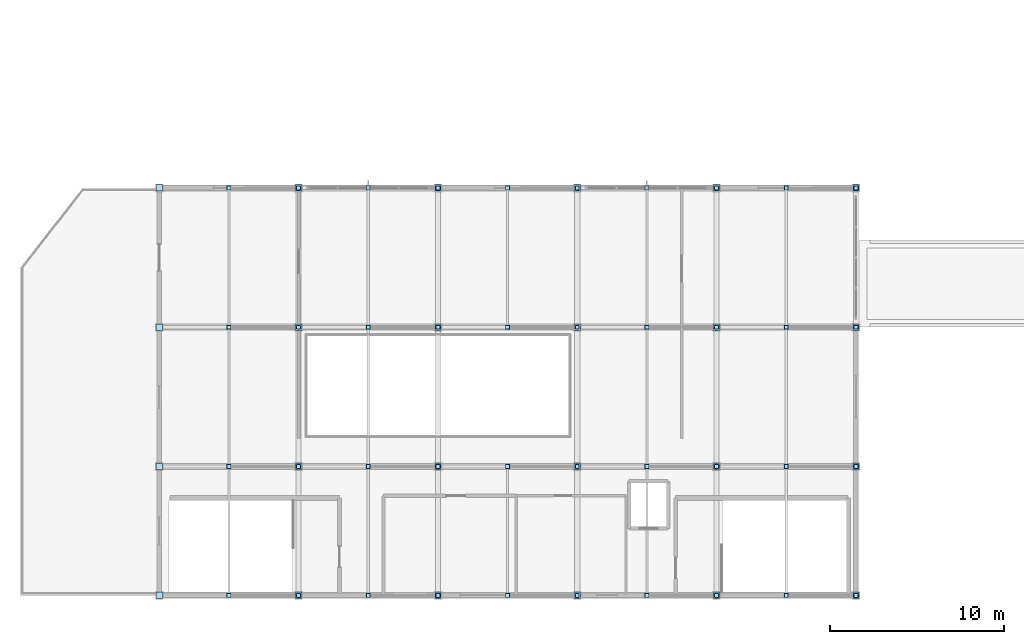
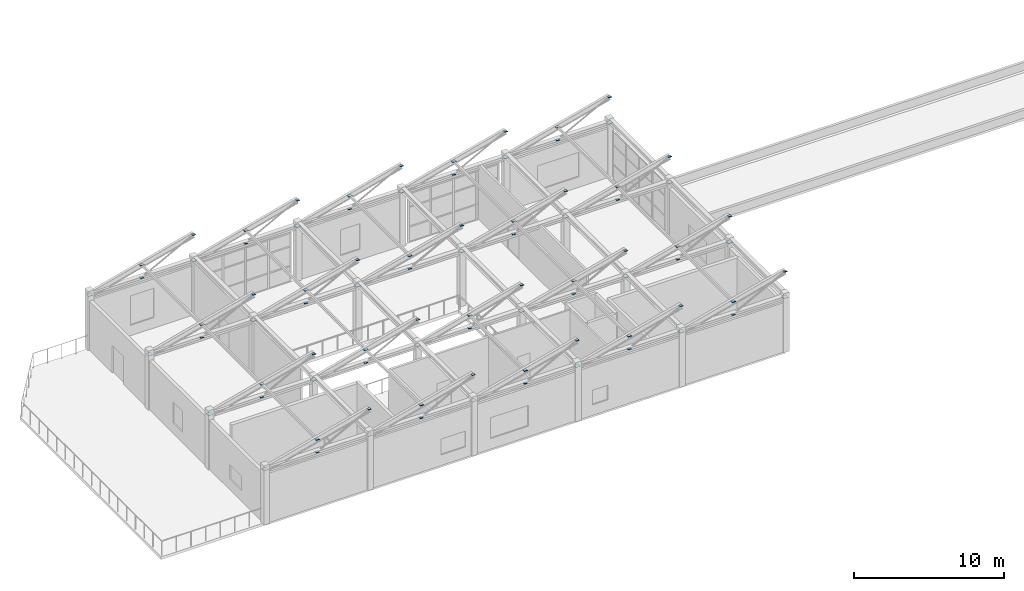
# One storey, part 47 of 63: 84 plates.
"""IFC4 building model written with IfcOpenShell, lengths in metres."""

from ifc_helpers import new_model, si_unit, direction, frame, origin, origin_2d, place, context, subcontext, project, spatial, rectangle, extrude, material, layer, layer_set, type_object, element, save


model = new_model("IFC4")

# Units and contexts
model_context = context("Model", 3, precision=1e-05, world=origin(), true_north=direction((0.0, 1.0)))
body_context = subcontext(model_context, "Body", "Model", "MODEL_VIEW")
ifc_project = project(units=[si_unit("LENGTHUNIT", "METRE"), si_unit("AREAUNIT", "SQUARE_METRE"), si_unit("VOLUMEUNIT", "CUBIC_METRE"), si_unit("PLANEANGLEUNIT", "RADIAN"), si_unit("MASSUNIT", "GRAM", prefix="KILO")], contexts=[model_context])

# Site, building, storey
site_placement = place(None, origin())
site = spatial("IfcSite", under=ifc_project, at=site_placement, CompositionType="ELEMENT")
building_placement = place(site_placement, origin())
building = spatial("IfcBuilding", under=site, at=building_placement, Name="Canggui Botanical Conservatory", CompositionType="ELEMENT")
storey_placement = place(building_placement, frame((0.0, 0.0, 10.199951171875)))
storey = spatial("IfcBuildingStorey", under=building, at=storey_placement, Name="L03", CompositionType="ELEMENT", Elevation=10.199951171875)

# Plates
ifc_material = material(Name="Steel Q355B", Category="steel")
ifc_layer = layer(ifc_material, 0.02001953125, Name="Steel Q355B", Category="steel")
ifc_layer_set = layer_set([ifc_layer], Name="Steel Q355B")
plate_type = type_object("IfcPlateType", Name="PLT-CAP-20", PredefinedType="USERDEFINED", material=ifc_layer_set)
for number, where, z_axis, x_axis, name in (
    (1, (26.0, 10.60009765625, 4.340087890625), (0.0, 0.0, 1.0), (1.0, 0.0, 0.0), "CP-VIS-TIE-01-10-0"),
    (2, (34.0, 10.60009765625, 4.340087890625), (0.0, 0.0, 1.0), (1.0, 0.0, 0.0), "CP-VIS-TIE-01-10-1"),
):
    element("IfcPlate", number, at=place(storey_placement, frame(where, z_axis=z_axis, x_axis=x_axis)), inside=storey, type_object=plate_type, Name=name, ObjectType="END CAP PLATE", PredefinedType="USERDEFINED", context=body_context, shape_type="SweptSolid", body=[
        extrude(rectangle(XDim=0.360107421875, YDim=0.360107421875, at=origin_2d()), origin(), (0.0, 0.0, 1.0), 0.02001953125),
    ])
for number, where, z_axis, x_axis, name in (
    (3, (30.0, 10.60009765625, 4.340087890625), (0.0, 0.0, 1.0), (1.0, 0.0, 0.0), "CP-VIS-TW-01-10-0"),
    (4, (34.0, 10.60009765625, 6.43994140625), (0.0, 0.0, 1.0), (1.0, 0.0, 0.0), "CP-VIS-TW-01-10-1"),
):
    element("IfcPlate", number, at=place(storey_placement, frame(where, z_axis=z_axis, x_axis=x_axis)), inside=storey, type_object=plate_type, Name=name, ObjectType="END CAP PLATE", PredefinedType="USERDEFINED", context=body_context, shape_type="SweptSolid", body=[
        extrude(rectangle(XDim=0.219970703125, YDim=0.219970703125, at=origin_2d()), origin(), (0.0, 0.0, 1.0), 0.02001953125),
    ])
for number, where, z_axis, x_axis, name in (
    (5, (26.0, 18.0, 4.340087890625), (0.0, 0.0, 1.0), (1.0, 0.0, 0.0), "CP-VIS-TIE-01-18-0"),
    (6, (34.0, 18.0, 4.340087890625), (0.0, 0.0, 1.0), (1.0, 0.0, 0.0), "CP-VIS-TIE-01-18-1"),
):
    element("IfcPlate", number, at=place(storey_placement, frame(where, z_axis=z_axis, x_axis=x_axis)), inside=storey, type_object=plate_type, Name=name, ObjectType="END CAP PLATE", PredefinedType="USERDEFINED", context=body_context, shape_type="SweptSolid", body=[
        extrude(rectangle(XDim=0.360107421875, YDim=0.360107421875, at=origin_2d()), origin(), (0.0, 0.0, 1.0), 0.02001953125),
    ])
for number, where, z_axis, x_axis, name in (
    (7, (30.0, 18.0, 4.340087890625), (0.0, 0.0, 1.0), (1.0, 0.0, 0.0), "CP-VIS-TW-01-18-0"),
    (8, (34.0, 18.0, 6.43994140625), (0.0, 0.0, 1.0), (1.0, 0.0, 0.0), "CP-VIS-TW-01-18-1"),
):
    element("IfcPlate", number, at=place(storey_placement, frame(where, z_axis=z_axis, x_axis=x_axis)), inside=storey, type_object=plate_type, Name=name, ObjectType="END CAP PLATE", PredefinedType="USERDEFINED", context=body_context, shape_type="SweptSolid", body=[
        extrude(rectangle(XDim=0.219970703125, YDim=0.219970703125, at=origin_2d()), origin(), (0.0, 0.0, 1.0), 0.02001953125),
    ])
for number, where, z_axis, x_axis, name in (
    (9, (26.0, 26.0, 4.340087890625), (0.0, 0.0, 1.0), (1.0, 0.0, 0.0), "CP-VIS-TIE-01-26-0"),
    (10, (34.0, 26.0, 4.340087890625), (0.0, 0.0, 1.0), (1.0, 0.0, 0.0), "CP-VIS-TIE-01-26-1"),
):
    element("IfcPlate", number, at=place(storey_placement, frame(where, z_axis=z_axis, x_axis=x_axis)), inside=storey, type_object=plate_type, Name=name, ObjectType="END CAP PLATE", PredefinedType="USERDEFINED", context=body_context, shape_type="SweptSolid", body=[
        extrude(rectangle(XDim=0.360107421875, YDim=0.360107421875, at=origin_2d()), origin(), (0.0, 0.0, 1.0), 0.02001953125),
    ])
for number, where, z_axis, x_axis, name in (
    (11, (30.0, 26.0, 4.340087890625), (0.0, 0.0, 1.0), (1.0, 0.0, 0.0), "CP-VIS-TW-01-26-0"),
    (12, (34.0, 26.0, 6.43994140625), (0.0, 0.0, 1.0), (1.0, 0.0, 0.0), "CP-VIS-TW-01-26-1"),
):
    element("IfcPlate", number, at=place(storey_placement, frame(where, z_axis=z_axis, x_axis=x_axis)), inside=storey, type_object=plate_type, Name=name, ObjectType="END CAP PLATE", PredefinedType="USERDEFINED", context=body_context, shape_type="SweptSolid", body=[
        extrude(rectangle(XDim=0.219970703125, YDim=0.219970703125, at=origin_2d()), origin(), (0.0, 0.0, 1.0), 0.02001953125),
    ])
for number, where, z_axis, x_axis, name in (
    (13, (26.0, 34.0, 4.340087890625), (0.0, 0.0, 1.0), (1.0, 0.0, 0.0), "CP-VIS-TIE-01-34-0"),
    (14, (34.0, 34.0, 4.340087890625), (0.0, 0.0, 1.0), (1.0, 0.0, 0.0), "CP-VIS-TIE-01-34-1"),
):
    element("IfcPlate", number, at=place(storey_placement, frame(where, z_axis=z_axis, x_axis=x_axis)), inside=storey, type_object=plate_type, Name=name, ObjectType="END CAP PLATE", PredefinedType="USERDEFINED", context=body_context, shape_type="SweptSolid", body=[
        extrude(rectangle(XDim=0.360107421875, YDim=0.360107421875, at=origin_2d()), origin(), (0.0, 0.0, 1.0), 0.02001953125),
    ])
for number, where, z_axis, x_axis, name in (
    (15, (30.0, 34.0, 4.340087890625), (0.0, 0.0, 1.0), (1.0, 0.0, 0.0), "CP-VIS-TW-01-34-0"),
    (16, (34.0, 34.0, 6.43994140625), (0.0, 0.0, 1.0), (1.0, 0.0, 0.0), "CP-VIS-TW-01-34-1"),
):
    element("IfcPlate", number, at=place(storey_placement, frame(where, z_axis=z_axis, x_axis=x_axis)), inside=storey, type_object=plate_type, Name=name, ObjectType="END CAP PLATE", PredefinedType="USERDEFINED", context=body_context, shape_type="SweptSolid", body=[
        extrude(rectangle(XDim=0.219970703125, YDim=0.219970703125, at=origin_2d()), origin(), (0.0, 0.0, 1.0), 0.02001953125),
    ])
for number, where, z_axis, x_axis, name in (
    (17, (30.0, 10.60009765625, 5.39013671875), (0.0, 0.0, 1.0), (1.0, 0.0, 0.0), "CP-VIS-PUR-01-1-0"),
    (18, (30.0, 18.0, 5.39013671875), (0.0, 0.0, 1.0), (1.0, 0.0, 0.0), "CP-VIS-PUR-01-1-1"),
    (19, (30.0, 26.0, 5.39013671875), (0.0, 0.0, 1.0), (1.0, 0.0, 0.0), "CP-VIS-PUR-01-2-1"),
    (20, (30.0, 34.0, 5.39013671875), (0.0, 0.0, 1.0), (1.0, 0.0, 0.0), "CP-VIS-PUR-01-3-1"),
):
    element("IfcPlate", number, at=place(storey_placement, frame(where, z_axis=z_axis, x_axis=x_axis)), inside=storey, type_object=plate_type, Name=name, ObjectType="END CAP PLATE", PredefinedType="USERDEFINED", context=body_context, shape_type="SweptSolid", body=[
        extrude(rectangle(XDim=0.260009765625, YDim=0.260009765625, at=origin_2d()), origin(), (0.0, 0.0, 1.0), 0.02001953125),
    ])
plate_1_placement = place(storey_placement, frame((42.0, 10.60009765625, 4.340087890625), z_axis=(0.0, 0.0, 1.0), x_axis=(1.0, 0.0, 0.0)))
element("IfcPlate", 21, at=plate_1_placement, inside=storey, type_object=plate_type, Name="CP-VIS-TIE-02-10-1", ObjectType="END CAP PLATE", PredefinedType="USERDEFINED", context=body_context, shape_type="SweptSolid", body=[
    extrude(rectangle(XDim=0.360107421875, YDim=0.360107421875, at=origin_2d()), origin(), (0.0, 0.0, 1.0), 0.02001953125),
])
for number, where, z_axis, x_axis, name in (
    (22, (38.0, 10.60009765625, 4.340087890625), (0.0, 0.0, 1.0), (1.0, 0.0, 0.0), "CP-VIS-TW-02-10-0"),
    (23, (42.0, 10.60009765625, 6.43994140625), (0.0, 0.0, 1.0), (1.0, 0.0, 0.0), "CP-VIS-TW-02-10-1"),
):
    element("IfcPlate", number, at=place(storey_placement, frame(where, z_axis=z_axis, x_axis=x_axis)), inside=storey, type_object=plate_type, Name=name, ObjectType="END CAP PLATE", PredefinedType="USERDEFINED", context=body_context, shape_type="SweptSolid", body=[
        extrude(rectangle(XDim=0.219970703125, YDim=0.219970703125, at=origin_2d()), origin(), (0.0, 0.0, 1.0), 0.02001953125),
    ])
plate_2_placement = place(storey_placement, frame((42.0, 18.0, 4.340087890625), z_axis=(0.0, 0.0, 1.0), x_axis=(1.0, 0.0, 0.0)))
element("IfcPlate", 24, at=plate_2_placement, inside=storey, type_object=plate_type, Name="CP-VIS-TIE-02-18-1", ObjectType="END CAP PLATE", PredefinedType="USERDEFINED", context=body_context, shape_type="SweptSolid", body=[
    extrude(rectangle(XDim=0.360107421875, YDim=0.360107421875, at=origin_2d()), origin(), (0.0, 0.0, 1.0), 0.02001953125),
])
for number, where, z_axis, x_axis, name in (
    (25, (38.0, 18.0, 4.340087890625), (0.0, 0.0, 1.0), (1.0, 0.0, 0.0), "CP-VIS-TW-02-18-0"),
    (26, (42.0, 18.0, 6.43994140625), (0.0, 0.0, 1.0), (1.0, 0.0, 0.0), "CP-VIS-TW-02-18-1"),
):
    element("IfcPlate", number, at=place(storey_placement, frame(where, z_axis=z_axis, x_axis=x_axis)), inside=storey, type_object=plate_type, Name=name, ObjectType="END CAP PLATE", PredefinedType="USERDEFINED", context=body_context, shape_type="SweptSolid", body=[
        extrude(rectangle(XDim=0.219970703125, YDim=0.219970703125, at=origin_2d()), origin(), (0.0, 0.0, 1.0), 0.02001953125),
    ])
plate_3_placement = place(storey_placement, frame((42.0, 26.0, 4.340087890625), z_axis=(0.0, 0.0, 1.0), x_axis=(1.0, 0.0, 0.0)))
element("IfcPlate", 27, at=plate_3_placement, inside=storey, type_object=plate_type, Name="CP-VIS-TIE-02-26-1", ObjectType="END CAP PLATE", PredefinedType="USERDEFINED", context=body_context, shape_type="SweptSolid", body=[
    extrude(rectangle(XDim=0.360107421875, YDim=0.360107421875, at=origin_2d()), origin(), (0.0, 0.0, 1.0), 0.02001953125),
])
for number, where, z_axis, x_axis, name in (
    (28, (38.0, 26.0, 4.340087890625), (0.0, 0.0, 1.0), (1.0, 0.0, 0.0), "CP-VIS-TW-02-26-0"),
    (29, (42.0, 26.0, 6.43994140625), (0.0, 0.0, 1.0), (1.0, 0.0, 0.0), "CP-VIS-TW-02-26-1"),
):
    element("IfcPlate", number, at=place(storey_placement, frame(where, z_axis=z_axis, x_axis=x_axis)), inside=storey, type_object=plate_type, Name=name, ObjectType="END CAP PLATE", PredefinedType="USERDEFINED", context=body_context, shape_type="SweptSolid", body=[
        extrude(rectangle(XDim=0.219970703125, YDim=0.219970703125, at=origin_2d()), origin(), (0.0, 0.0, 1.0), 0.02001953125),
    ])
plate_4_placement = place(storey_placement, frame((42.0, 34.0, 4.340087890625), z_axis=(0.0, 0.0, 1.0), x_axis=(1.0, 0.0, 0.0)))
element("IfcPlate", 30, at=plate_4_placement, inside=storey, type_object=plate_type, Name="CP-VIS-TIE-02-34-1", ObjectType="END CAP PLATE", PredefinedType="USERDEFINED", context=body_context, shape_type="SweptSolid", body=[
    extrude(rectangle(XDim=0.360107421875, YDim=0.360107421875, at=origin_2d()), origin(), (0.0, 0.0, 1.0), 0.02001953125),
])
for number, where, z_axis, x_axis, name in (
    (31, (38.0, 34.0, 4.340087890625), (0.0, 0.0, 1.0), (1.0, 0.0, 0.0), "CP-VIS-TW-02-34-0"),
    (32, (42.0, 34.0, 6.43994140625), (0.0, 0.0, 1.0), (1.0, 0.0, 0.0), "CP-VIS-TW-02-34-1"),
):
    element("IfcPlate", number, at=place(storey_placement, frame(where, z_axis=z_axis, x_axis=x_axis)), inside=storey, type_object=plate_type, Name=name, ObjectType="END CAP PLATE", PredefinedType="USERDEFINED", context=body_context, shape_type="SweptSolid", body=[
        extrude(rectangle(XDim=0.219970703125, YDim=0.219970703125, at=origin_2d()), origin(), (0.0, 0.0, 1.0), 0.02001953125),
    ])
for number, where, z_axis, x_axis, name in (
    (33, (38.0, 10.60009765625, 5.39013671875), (0.0, 0.0, 1.0), (1.0, 0.0, 0.0), "CP-VIS-PUR-02-1-0"),
    (34, (38.0, 18.0, 5.39013671875), (0.0, 0.0, 1.0), (1.0, 0.0, 0.0), "CP-VIS-PUR-02-1-1"),
    (35, (38.0, 26.0, 5.39013671875), (0.0, 0.0, 1.0), (1.0, 0.0, 0.0), "CP-VIS-PUR-02-2-1"),
    (36, (38.0, 34.0, 5.39013671875), (0.0, 0.0, 1.0), (1.0, 0.0, 0.0), "CP-VIS-PUR-02-3-1"),
):
    element("IfcPlate", number, at=place(storey_placement, frame(where, z_axis=z_axis, x_axis=x_axis)), inside=storey, type_object=plate_type, Name=name, ObjectType="END CAP PLATE", PredefinedType="USERDEFINED", context=body_context, shape_type="SweptSolid", body=[
        extrude(rectangle(XDim=0.260009765625, YDim=0.260009765625, at=origin_2d()), origin(), (0.0, 0.0, 1.0), 0.02001953125),
    ])
plate_5_placement = place(storey_placement, frame((50.0, 10.60009765625, 4.340087890625), z_axis=(0.0, 0.0, 1.0), x_axis=(1.0, 0.0, 0.0)))
element("IfcPlate", 37, at=plate_5_placement, inside=storey, type_object=plate_type, Name="CP-VIS-TIE-03-10-1", ObjectType="END CAP PLATE", PredefinedType="USERDEFINED", context=body_context, shape_type="SweptSolid", body=[
    extrude(rectangle(XDim=0.360107421875, YDim=0.360107421875, at=origin_2d()), origin(), (0.0, 0.0, 1.0), 0.02001953125),
])
for number, where, z_axis, x_axis, name in (
    (38, (46.0, 10.60009765625, 4.340087890625), (0.0, 0.0, 1.0), (1.0, 0.0, 0.0), "CP-VIS-TW-03-10-0"),
    (39, (50.0, 10.60009765625, 6.43994140625), (0.0, 0.0, 1.0), (1.0, 0.0, 0.0), "CP-VIS-TW-03-10-1"),
):
    element("IfcPlate", number, at=place(storey_placement, frame(where, z_axis=z_axis, x_axis=x_axis)), inside=storey, type_object=plate_type, Name=name, ObjectType="END CAP PLATE", PredefinedType="USERDEFINED", context=body_context, shape_type="SweptSolid", body=[
        extrude(rectangle(XDim=0.219970703125, YDim=0.219970703125, at=origin_2d()), origin(), (0.0, 0.0, 1.0), 0.02001953125),
    ])
plate_6_placement = place(storey_placement, frame((50.0, 18.0, 4.340087890625), z_axis=(0.0, 0.0, 1.0), x_axis=(1.0, 0.0, 0.0)))
element("IfcPlate", 40, at=plate_6_placement, inside=storey, type_object=plate_type, Name="CP-VIS-TIE-03-18-1", ObjectType="END CAP PLATE", PredefinedType="USERDEFINED", context=body_context, shape_type="SweptSolid", body=[
    extrude(rectangle(XDim=0.360107421875, YDim=0.360107421875, at=origin_2d()), origin(), (0.0, 0.0, 1.0), 0.02001953125),
])
for number, where, z_axis, x_axis, name in (
    (41, (46.0, 18.0, 4.340087890625), (0.0, 0.0, 1.0), (1.0, 0.0, 0.0), "CP-VIS-TW-03-18-0"),
    (42, (50.0, 18.0, 6.43994140625), (0.0, 0.0, 1.0), (1.0, 0.0, 0.0), "CP-VIS-TW-03-18-1"),
):
    element("IfcPlate", number, at=place(storey_placement, frame(where, z_axis=z_axis, x_axis=x_axis)), inside=storey, type_object=plate_type, Name=name, ObjectType="END CAP PLATE", PredefinedType="USERDEFINED", context=body_context, shape_type="SweptSolid", body=[
        extrude(rectangle(XDim=0.219970703125, YDim=0.219970703125, at=origin_2d()), origin(), (0.0, 0.0, 1.0), 0.02001953125),
    ])
plate_7_placement = place(storey_placement, frame((50.0, 26.0, 4.340087890625), z_axis=(0.0, 0.0, 1.0), x_axis=(1.0, 0.0, 0.0)))
element("IfcPlate", 43, at=plate_7_placement, inside=storey, type_object=plate_type, Name="CP-VIS-TIE-03-26-1", ObjectType="END CAP PLATE", PredefinedType="USERDEFINED", context=body_context, shape_type="SweptSolid", body=[
    extrude(rectangle(XDim=0.360107421875, YDim=0.360107421875, at=origin_2d()), origin(), (0.0, 0.0, 1.0), 0.02001953125),
])
for number, where, z_axis, x_axis, name in (
    (44, (46.0, 26.0, 4.340087890625), (0.0, 0.0, 1.0), (1.0, 0.0, 0.0), "CP-VIS-TW-03-26-0"),
    (45, (50.0, 26.0, 6.43994140625), (0.0, 0.0, 1.0), (1.0, 0.0, 0.0), "CP-VIS-TW-03-26-1"),
):
    element("IfcPlate", number, at=place(storey_placement, frame(where, z_axis=z_axis, x_axis=x_axis)), inside=storey, type_object=plate_type, Name=name, ObjectType="END CAP PLATE", PredefinedType="USERDEFINED", context=body_context, shape_type="SweptSolid", body=[
        extrude(rectangle(XDim=0.219970703125, YDim=0.219970703125, at=origin_2d()), origin(), (0.0, 0.0, 1.0), 0.02001953125),
    ])
plate_8_placement = place(storey_placement, frame((50.0, 34.0, 4.340087890625), z_axis=(0.0, 0.0, 1.0), x_axis=(1.0, 0.0, 0.0)))
element("IfcPlate", 46, at=plate_8_placement, inside=storey, type_object=plate_type, Name="CP-VIS-TIE-03-34-1", ObjectType="END CAP PLATE", PredefinedType="USERDEFINED", context=body_context, shape_type="SweptSolid", body=[
    extrude(rectangle(XDim=0.360107421875, YDim=0.360107421875, at=origin_2d()), origin(), (0.0, 0.0, 1.0), 0.02001953125),
])
for number, where, z_axis, x_axis, name in (
    (47, (46.0, 34.0, 4.340087890625), (0.0, 0.0, 1.0), (1.0, 0.0, 0.0), "CP-VIS-TW-03-34-0"),
    (48, (50.0, 34.0, 6.43994140625), (0.0, 0.0, 1.0), (1.0, 0.0, 0.0), "CP-VIS-TW-03-34-1"),
):
    element("IfcPlate", number, at=place(storey_placement, frame(where, z_axis=z_axis, x_axis=x_axis)), inside=storey, type_object=plate_type, Name=name, ObjectType="END CAP PLATE", PredefinedType="USERDEFINED", context=body_context, shape_type="SweptSolid", body=[
        extrude(rectangle(XDim=0.219970703125, YDim=0.219970703125, at=origin_2d()), origin(), (0.0, 0.0, 1.0), 0.02001953125),
    ])
for number, where, z_axis, x_axis, name in (
    (49, (46.0, 10.60009765625, 5.39013671875), (0.0, 0.0, 1.0), (1.0, 0.0, 0.0), "CP-VIS-PUR-03-1-0"),
    (50, (46.0, 18.0, 5.39013671875), (0.0, 0.0, 1.0), (1.0, 0.0, 0.0), "CP-VIS-PUR-03-1-1"),
    (51, (46.0, 26.0, 5.39013671875), (0.0, 0.0, 1.0), (1.0, 0.0, 0.0), "CP-VIS-PUR-03-3-0"),
    (52, (46.0, 34.0, 5.39013671875), (0.0, 0.0, 1.0), (1.0, 0.0, 0.0), "CP-VIS-PUR-03-3-1"),
):
    element("IfcPlate", number, at=place(storey_placement, frame(where, z_axis=z_axis, x_axis=x_axis)), inside=storey, type_object=plate_type, Name=name, ObjectType="END CAP PLATE", PredefinedType="USERDEFINED", context=body_context, shape_type="SweptSolid", body=[
        extrude(rectangle(XDim=0.260009765625, YDim=0.260009765625, at=origin_2d()), origin(), (0.0, 0.0, 1.0), 0.02001953125),
    ])
plate_9_placement = place(storey_placement, frame((58.0, 10.60009765625, 4.340087890625), z_axis=(0.0, 0.0, 1.0), x_axis=(1.0, 0.0, 0.0)))
element("IfcPlate", 53, at=plate_9_placement, inside=storey, type_object=plate_type, Name="CP-VIS-TIE-04-10-1", ObjectType="END CAP PLATE", PredefinedType="USERDEFINED", context=body_context, shape_type="SweptSolid", body=[
    extrude(rectangle(XDim=0.360107421875, YDim=0.360107421875, at=origin_2d()), origin(), (0.0, 0.0, 1.0), 0.02001953125),
])
for number, where, z_axis, x_axis, name in (
    (54, (54.0, 10.60009765625, 4.340087890625), (0.0, 0.0, 1.0), (1.0, 0.0, 0.0), "CP-VIS-TW-04-10-0"),
    (55, (58.0, 10.60009765625, 6.43994140625), (0.0, 0.0, 1.0), (1.0, 0.0, 0.0), "CP-VIS-TW-04-10-1"),
):
    element("IfcPlate", number, at=place(storey_placement, frame(where, z_axis=z_axis, x_axis=x_axis)), inside=storey, type_object=plate_type, Name=name, ObjectType="END CAP PLATE", PredefinedType="USERDEFINED", context=body_context, shape_type="SweptSolid", body=[
        extrude(rectangle(XDim=0.219970703125, YDim=0.219970703125, at=origin_2d()), origin(), (0.0, 0.0, 1.0), 0.02001953125),
    ])
plate_10_placement = place(storey_placement, frame((58.0, 18.0, 4.340087890625), z_axis=(0.0, 0.0, 1.0), x_axis=(1.0, 0.0, 0.0)))
element("IfcPlate", 56, at=plate_10_placement, inside=storey, type_object=plate_type, Name="CP-VIS-TIE-04-18-1", ObjectType="END CAP PLATE", PredefinedType="USERDEFINED", context=body_context, shape_type="SweptSolid", body=[
    extrude(rectangle(XDim=0.360107421875, YDim=0.360107421875, at=origin_2d()), origin(), (0.0, 0.0, 1.0), 0.02001953125),
])
for number, where, z_axis, x_axis, name in (
    (57, (54.0, 18.0, 4.340087890625), (0.0, 0.0, 1.0), (1.0, 0.0, 0.0), "CP-VIS-TW-04-18-0"),
    (58, (58.0, 18.0, 6.43994140625), (0.0, 0.0, 1.0), (1.0, 0.0, 0.0), "CP-VIS-TW-04-18-1"),
):
    element("IfcPlate", number, at=place(storey_placement, frame(where, z_axis=z_axis, x_axis=x_axis)), inside=storey, type_object=plate_type, Name=name, ObjectType="END CAP PLATE", PredefinedType="USERDEFINED", context=body_context, shape_type="SweptSolid", body=[
        extrude(rectangle(XDim=0.219970703125, YDim=0.219970703125, at=origin_2d()), origin(), (0.0, 0.0, 1.0), 0.02001953125),
    ])
plate_11_placement = place(storey_placement, frame((58.0, 26.0, 4.340087890625), z_axis=(0.0, 0.0, 1.0), x_axis=(1.0, 0.0, 0.0)))
element("IfcPlate", 59, at=plate_11_placement, inside=storey, type_object=plate_type, Name="CP-VIS-TIE-04-26-1", ObjectType="END CAP PLATE", PredefinedType="USERDEFINED", context=body_context, shape_type="SweptSolid", body=[
    extrude(rectangle(XDim=0.360107421875, YDim=0.360107421875, at=origin_2d()), origin(), (0.0, 0.0, 1.0), 0.02001953125),
])
for number, where, z_axis, x_axis, name in (
    (60, (54.0, 26.0, 4.340087890625), (0.0, 0.0, 1.0), (1.0, 0.0, 0.0), "CP-VIS-TW-04-26-0"),
    (61, (58.0, 26.0, 6.43994140625), (0.0, 0.0, 1.0), (1.0, 0.0, 0.0), "CP-VIS-TW-04-26-1"),
):
    element("IfcPlate", number, at=place(storey_placement, frame(where, z_axis=z_axis, x_axis=x_axis)), inside=storey, type_object=plate_type, Name=name, ObjectType="END CAP PLATE", PredefinedType="USERDEFINED", context=body_context, shape_type="SweptSolid", body=[
        extrude(rectangle(XDim=0.219970703125, YDim=0.219970703125, at=origin_2d()), origin(), (0.0, 0.0, 1.0), 0.02001953125),
    ])
plate_12_placement = place(storey_placement, frame((58.0, 34.0, 4.340087890625), z_axis=(0.0, 0.0, 1.0), x_axis=(1.0, 0.0, 0.0)))
element("IfcPlate", 62, at=plate_12_placement, inside=storey, type_object=plate_type, Name="CP-VIS-TIE-04-34-1", ObjectType="END CAP PLATE", PredefinedType="USERDEFINED", context=body_context, shape_type="SweptSolid", body=[
    extrude(rectangle(XDim=0.360107421875, YDim=0.360107421875, at=origin_2d()), origin(), (0.0, 0.0, 1.0), 0.02001953125),
])
for number, where, z_axis, x_axis, name in (
    (63, (54.0, 34.0, 4.340087890625), (0.0, 0.0, 1.0), (1.0, 0.0, 0.0), "CP-VIS-TW-04-34-0"),
    (64, (58.0, 34.0, 6.43994140625), (0.0, 0.0, 1.0), (1.0, 0.0, 0.0), "CP-VIS-TW-04-34-1"),
):
    element("IfcPlate", number, at=place(storey_placement, frame(where, z_axis=z_axis, x_axis=x_axis)), inside=storey, type_object=plate_type, Name=name, ObjectType="END CAP PLATE", PredefinedType="USERDEFINED", context=body_context, shape_type="SweptSolid", body=[
        extrude(rectangle(XDim=0.219970703125, YDim=0.219970703125, at=origin_2d()), origin(), (0.0, 0.0, 1.0), 0.02001953125),
    ])
for number, where, z_axis, x_axis, name in (
    (65, (54.0, 10.60009765625, 5.39013671875), (0.0, 0.0, 1.0), (1.0, 0.0, 0.0), "CP-VIS-PUR-04-1-0"),
    (66, (54.0, 18.0, 5.39013671875), (0.0, 0.0, 1.0), (1.0, 0.0, 0.0), "CP-VIS-PUR-04-1-1"),
    (67, (54.0, 26.0, 5.39013671875), (0.0, 0.0, 1.0), (1.0, 0.0, 0.0), "CP-VIS-PUR-04-2-1"),
    (68, (54.0, 34.0, 5.39013671875), (0.0, 0.0, 1.0), (1.0, 0.0, 0.0), "CP-VIS-PUR-04-3-1"),
):
    element("IfcPlate", number, at=place(storey_placement, frame(where, z_axis=z_axis, x_axis=x_axis)), inside=storey, type_object=plate_type, Name=name, ObjectType="END CAP PLATE", PredefinedType="USERDEFINED", context=body_context, shape_type="SweptSolid", body=[
        extrude(rectangle(XDim=0.260009765625, YDim=0.260009765625, at=origin_2d()), origin(), (0.0, 0.0, 1.0), 0.02001953125),
    ])
plate_13_placement = place(storey_placement, frame((66.0, 10.60009765625, 4.340087890625), z_axis=(0.0, 0.0, 1.0), x_axis=(1.0, 0.0, 0.0)))
element("IfcPlate", 69, at=plate_13_placement, inside=storey, type_object=plate_type, Name="CP-VIS-TIE-05-10-1", ObjectType="END CAP PLATE", PredefinedType="USERDEFINED", context=body_context, shape_type="SweptSolid", body=[
    extrude(rectangle(XDim=0.360107421875, YDim=0.360107421875, at=origin_2d()), origin(), (0.0, 0.0, 1.0), 0.02001953125),
])
for number, where, z_axis, x_axis, name in (
    (70, (62.0, 10.60009765625, 4.340087890625), (0.0, 0.0, 1.0), (1.0, 0.0, 0.0), "CP-VIS-TW-05-10-0"),
    (71, (66.0, 10.60009765625, 6.43994140625), (0.0, 0.0, 1.0), (1.0, 0.0, 0.0), "CP-VIS-TW-05-10-1"),
):
    element("IfcPlate", number, at=place(storey_placement, frame(where, z_axis=z_axis, x_axis=x_axis)), inside=storey, type_object=plate_type, Name=name, ObjectType="END CAP PLATE", PredefinedType="USERDEFINED", context=body_context, shape_type="SweptSolid", body=[
        extrude(rectangle(XDim=0.219970703125, YDim=0.219970703125, at=origin_2d()), origin(), (0.0, 0.0, 1.0), 0.02001953125),
    ])
plate_14_placement = place(storey_placement, frame((66.0, 18.0, 4.340087890625), z_axis=(0.0, 0.0, 1.0), x_axis=(1.0, 0.0, 0.0)))
element("IfcPlate", 72, at=plate_14_placement, inside=storey, type_object=plate_type, Name="CP-VIS-TIE-05-18-1", ObjectType="END CAP PLATE", PredefinedType="USERDEFINED", context=body_context, shape_type="SweptSolid", body=[
    extrude(rectangle(XDim=0.360107421875, YDim=0.360107421875, at=origin_2d()), origin(), (0.0, 0.0, 1.0), 0.02001953125),
])
for number, where, z_axis, x_axis, name in (
    (73, (62.0, 18.0, 4.340087890625), (0.0, 0.0, 1.0), (1.0, 0.0, 0.0), "CP-VIS-TW-05-18-0"),
    (74, (66.0, 18.0, 6.43994140625), (0.0, 0.0, 1.0), (1.0, 0.0, 0.0), "CP-VIS-TW-05-18-1"),
):
    element("IfcPlate", number, at=place(storey_placement, frame(where, z_axis=z_axis, x_axis=x_axis)), inside=storey, type_object=plate_type, Name=name, ObjectType="END CAP PLATE", PredefinedType="USERDEFINED", context=body_context, shape_type="SweptSolid", body=[
        extrude(rectangle(XDim=0.219970703125, YDim=0.219970703125, at=origin_2d()), origin(), (0.0, 0.0, 1.0), 0.02001953125),
    ])
plate_15_placement = place(storey_placement, frame((66.0, 26.0, 4.340087890625), z_axis=(0.0, 0.0, 1.0), x_axis=(1.0, 0.0, 0.0)))
element("IfcPlate", 75, at=plate_15_placement, inside=storey, type_object=plate_type, Name="CP-VIS-TIE-05-26-1", ObjectType="END CAP PLATE", PredefinedType="USERDEFINED", context=body_context, shape_type="SweptSolid", body=[
    extrude(rectangle(XDim=0.360107421875, YDim=0.360107421875, at=origin_2d()), origin(), (0.0, 0.0, 1.0), 0.02001953125),
])
for number, where, z_axis, x_axis, name in (
    (76, (62.0, 26.0, 4.340087890625), (0.0, 0.0, 1.0), (1.0, 0.0, 0.0), "CP-VIS-TW-05-26-0"),
    (77, (66.0, 26.0, 6.43994140625), (0.0, 0.0, 1.0), (1.0, 0.0, 0.0), "CP-VIS-TW-05-26-1"),
):
    element("IfcPlate", number, at=place(storey_placement, frame(where, z_axis=z_axis, x_axis=x_axis)), inside=storey, type_object=plate_type, Name=name, ObjectType="END CAP PLATE", PredefinedType="USERDEFINED", context=body_context, shape_type="SweptSolid", body=[
        extrude(rectangle(XDim=0.219970703125, YDim=0.219970703125, at=origin_2d()), origin(), (0.0, 0.0, 1.0), 0.02001953125),
    ])
plate_16_placement = place(storey_placement, frame((66.0, 34.0, 4.340087890625), z_axis=(0.0, 0.0, 1.0), x_axis=(1.0, 0.0, 0.0)))
element("IfcPlate", 78, at=plate_16_placement, inside=storey, type_object=plate_type, Name="CP-VIS-TIE-05-34-1", ObjectType="END CAP PLATE", PredefinedType="USERDEFINED", context=body_context, shape_type="SweptSolid", body=[
    extrude(rectangle(XDim=0.360107421875, YDim=0.360107421875, at=origin_2d()), origin(), (0.0, 0.0, 1.0), 0.02001953125),
])
for number, where, z_axis, x_axis, name in (
    (79, (62.0, 34.0, 4.340087890625), (0.0, 0.0, 1.0), (1.0, 0.0, 0.0), "CP-VIS-TW-05-34-0"),
    (80, (66.0, 34.0, 6.43994140625), (0.0, 0.0, 1.0), (1.0, 0.0, 0.0), "CP-VIS-TW-05-34-1"),
):
    element("IfcPlate", number, at=place(storey_placement, frame(where, z_axis=z_axis, x_axis=x_axis)), inside=storey, type_object=plate_type, Name=name, ObjectType="END CAP PLATE", PredefinedType="USERDEFINED", context=body_context, shape_type="SweptSolid", body=[
        extrude(rectangle(XDim=0.219970703125, YDim=0.219970703125, at=origin_2d()), origin(), (0.0, 0.0, 1.0), 0.02001953125),
    ])
for number, where, z_axis, x_axis, name in (
    (81, (62.0, 10.60009765625, 5.39013671875), (0.0, 0.0, 1.0), (1.0, 0.0, 0.0), "CP-VIS-PUR-05-1-0"),
    (82, (62.0, 18.0, 5.39013671875), (0.0, 0.0, 1.0), (1.0, 0.0, 0.0), "CP-VIS-PUR-05-1-1"),
    (83, (62.0, 26.0, 5.39013671875), (0.0, 0.0, 1.0), (1.0, 0.0, 0.0), "CP-VIS-PUR-05-2-1"),
    (84, (62.0, 34.0, 5.39013671875), (0.0, 0.0, 1.0), (1.0, 0.0, 0.0), "CP-VIS-PUR-05-3-1"),
):
    element("IfcPlate", number, at=place(storey_placement, frame(where, z_axis=z_axis, x_axis=x_axis)), inside=storey, type_object=plate_type, Name=name, ObjectType="END CAP PLATE", PredefinedType="USERDEFINED", context=body_context, shape_type="SweptSolid", body=[
        extrude(rectangle(XDim=0.260009765625, YDim=0.260009765625, at=origin_2d()), origin(), (0.0, 0.0, 1.0), 0.02001953125),
    ])

save(model, "model.ifc")
